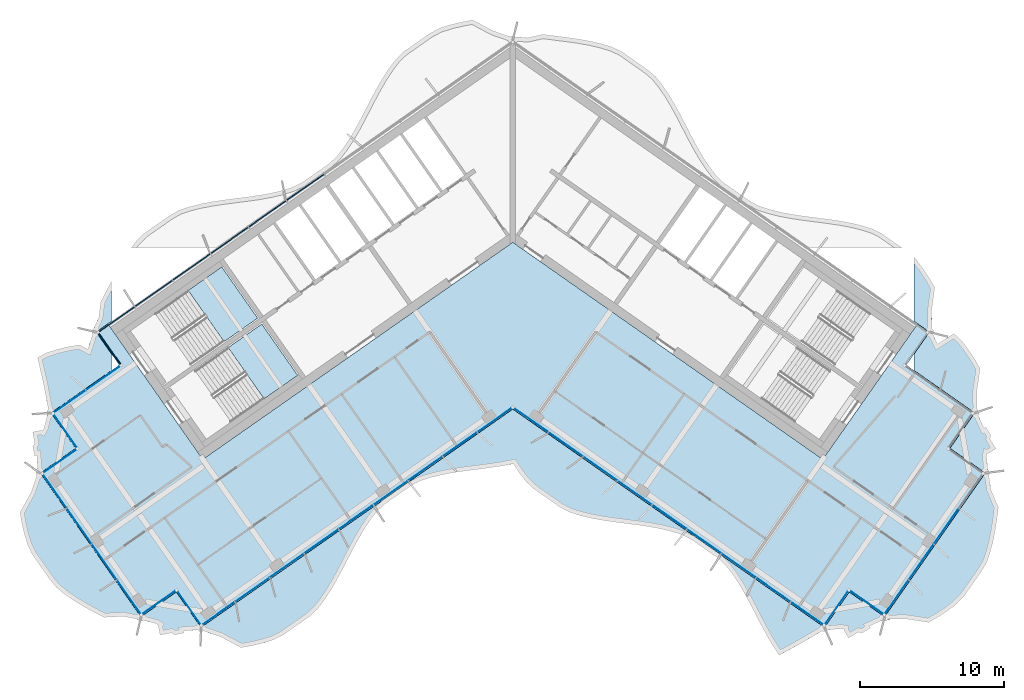
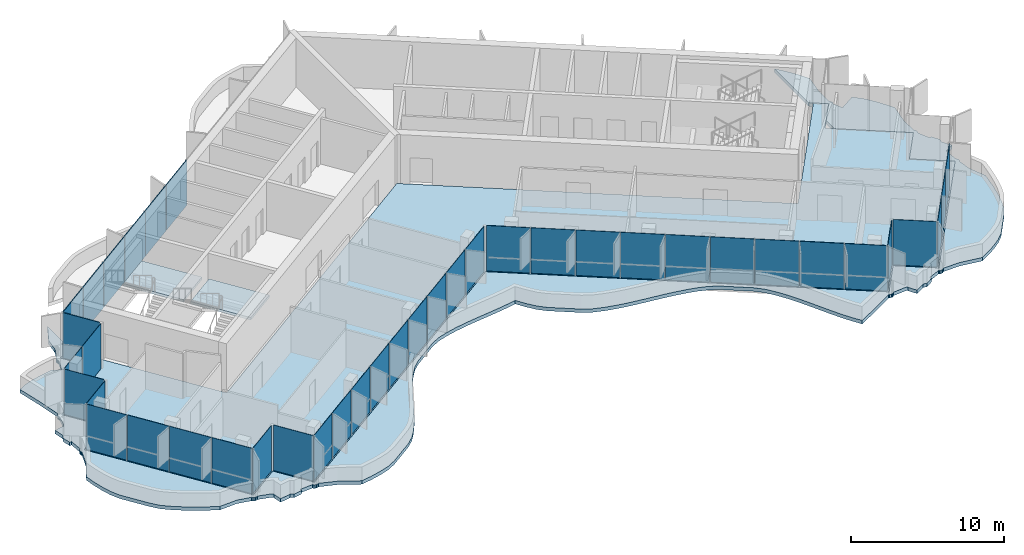
# One storey, part 9 of 20: 40 plates, 4 slabs, 4 elements without a shape of their own.
"""IFC4 building model written with IfcOpenShell, lengths in metres."""

from ifc_helpers import new_model, si_unit, direction, frame, origin, origin_2d, place, context, subcontext, project, spatial, polyline, rectangle, outline, extrude, material, layer, layer_set, type_object, element, aggregate, save


model = new_model("IFC4")

# Units and contexts
model_context = context("Model", 3, precision=1e-05, world=origin(), true_north=direction((0.0, 1.0)))
body_context = subcontext(model_context, "Body", "Model", "MODEL_VIEW")
ifc_project = project(units=[si_unit("LENGTHUNIT", "METRE"), si_unit("AREAUNIT", "SQUARE_METRE"), si_unit("VOLUMEUNIT", "CUBIC_METRE"), si_unit("PLANEANGLEUNIT", "RADIAN"), si_unit("MASSUNIT", "GRAM", prefix="KILO")], contexts=[model_context])

# Site, building, storey
site_placement = place(None, origin())
site = spatial("IfcSite", under=ifc_project, at=site_placement, CompositionType="ELEMENT")
building_placement = place(site_placement, origin())
building = spatial("IfcBuilding", under=site, at=building_placement, Name="Tel Ilan Convention Tower", CompositionType="ELEMENT")
storey_placement = place(building_placement, frame((0.0, 0.0, 229.300048828125)))
storey = spatial("IfcBuildingStorey", under=building, at=storey_placement, Name="L53", CompositionType="ELEMENT", Elevation=229.300048828125)

# Curtain wall, plates
ifc_material_1 = material(Name="Aluminium, bronze anodised", Category="aluminium")
curtain_wall_type_1 = type_object("IfcCurtainWallType", Name="CW2 STICK CURTAIN WALL, SPANDREL PANELS", PredefinedType="NOTDEFINED", material=ifc_material_1)
curtain_wall_1_placement = place(storey_placement, origin())
curtain_wall_1 = element("IfcCurtainWall", 1, at=curtain_wall_1_placement, inside=storey, type_object=curtain_wall_type_1, Name="Curtain wall CW2-42.01", PredefinedType="NOTDEFINED")
ifc_material_2 = material(Name="Aluminium composite panel, bronze anodised", Category="aluminium")
ifc_layer_1 = layer(ifc_material_2, 0.06005859375)
ifc_layer_set_1 = layer_set([ifc_layer_1], Name="CW SPANDREL PANEL 60")
plate_type_1 = type_object("IfcPlateType", Name="CW SPANDREL PANEL 60", PredefinedType="CURTAIN_PANEL", material=ifc_layer_set_1)
plate_1_placement = place(storey_placement, frame((-14.422119140625, 2.59765625, 0.0), z_axis=(0.0, 0.0, 1.0), x_axis=(-0.819152044289, -0.573576436351, 0.0)))
plate_1 = element("IfcPlate", 2, at=plate_1_placement, type_object=plate_type_1, Name="Spandrel panel", PredefinedType="CURTAIN_PANEL", context=body_context, shape_type="SweptSolid", body=[
    extrude(rectangle(XDim=3.15380859375, YDim=0.06005859375, at=origin_2d()), origin(), (0.0, 0.0, 1.0), 3.6201171875),
])
plate_2_placement = place(storey_placement, frame((-17.0546875, 0.754150390625, 0.0), z_axis=(0.0, 0.0, 1.0), x_axis=(-0.819152044289, -0.573576436351, 0.0)))
plate_2 = element("IfcPlate", 3, at=plate_2_placement, type_object=plate_type_1, Name="Spandrel panel", PredefinedType="CURTAIN_PANEL", context=body_context, shape_type="SweptSolid", body=[
    extrude(rectangle(XDim=3.15380859375, YDim=0.06005859375, at=origin_2d()), origin(), (0.0, 0.0, 1.0), 3.6201171875),
])
plate_3_placement = place(storey_placement, frame((-19.687255859375, -1.089111328125, 0.0), z_axis=(0.0, 0.0, 1.0), x_axis=(-0.819152044289, -0.573576436351, 0.0)))
plate_3 = element("IfcPlate", 4, at=plate_3_placement, type_object=plate_type_1, Name="Spandrel panel", PredefinedType="CURTAIN_PANEL", context=body_context, shape_type="SweptSolid", body=[
    extrude(rectangle(XDim=3.15380859375, YDim=0.06005859375, at=origin_2d()), origin(), (0.0, 0.0, 1.0), 3.6201171875),
])
plate_4_placement = place(storey_placement, frame((-22.31982421875, -2.9326171875, 0.0), z_axis=(0.0, 0.0, 1.0), x_axis=(-0.819152044289, -0.573576436351, 0.0)))
plate_4 = element("IfcPlate", 5, at=plate_4_placement, type_object=plate_type_1, Name="Spandrel panel", PredefinedType="CURTAIN_PANEL", context=body_context, shape_type="SweptSolid", body=[
    extrude(rectangle(XDim=3.15380859375, YDim=0.06005859375, at=origin_2d()), origin(), (0.0, 0.0, 1.0), 3.6201171875),
])
plate_5_placement = place(storey_placement, frame((-24.95263671875, -4.77587890625, 0.0), z_axis=(0.0, 0.0, 1.0), x_axis=(-0.819152044289, -0.573576436351, 0.0)))
plate_5 = element("IfcPlate", 6, at=plate_5_placement, type_object=plate_type_1, Name="Spandrel panel", PredefinedType="CURTAIN_PANEL", context=body_context, shape_type="SweptSolid", body=[
    extrude(rectangle(XDim=3.15380859375, YDim=0.06005859375, at=origin_2d()), origin(), (0.0, 0.0, 1.0), 3.6201171875),
])
plate_6_placement = place(storey_placement, frame((-27.5400390625, -6.587646484375, 0.0), z_axis=(0.0, 0.0, 1.0), x_axis=(-0.819152044289, -0.573576436351, 0.0)))
plate_6 = element("IfcPlate", 7, at=plate_6_placement, type_object=plate_type_1, Name="Spandrel panel", PredefinedType="CURTAIN_PANEL", context=body_context, shape_type="SweptSolid", body=[
    extrude(rectangle(XDim=3.0439453125, YDim=0.06005859375, at=origin_2d()), origin(), (0.0, 0.0, 1.0), 3.6201171875),
])
plate_7_placement = place(storey_placement, frame((-28.033935546875, -8.60546875, 0.0), z_axis=(0.0, 0.0, 1.0), x_axis=(0.573576436351, -0.819152044289, 0.0)))
plate_7 = element("IfcPlate", 8, at=plate_7_placement, type_object=plate_type_1, Name="Spandrel panel", PredefinedType="CURTAIN_PANEL", context=body_context, shape_type="SweptSolid", body=[
    extrude(rectangle(XDim=2.658935546875, YDim=0.06005859375, at=origin_2d()), origin(), (0.0, 0.0, 1.0), 3.6201171875),
])
aggregate(curtain_wall_1, [plate_1, plate_2, plate_3, plate_4, plate_5, plate_6, plate_7])

ifc_material_3 = material(Name="Aluminium, bronze anodised", Category="aluminium")
curtain_wall_type_2 = type_object("IfcCurtainWallType", Name="CW5 STICK CURTAIN WALL, UPPER OFFICE LOW-IRON TINTED GLASS", PredefinedType="NOTDEFINED", material=ifc_material_3)
curtain_wall_2_placement = place(storey_placement, origin())
curtain_wall_2 = element("IfcCurtainWall", 9, at=curtain_wall_2_placement, inside=storey, type_object=curtain_wall_type_2, Name="Curtain wall CW5-42.02", PredefinedType="NOTDEFINED")
ifc_material_4 = material(Name="Glass, low-iron bronze tinted, two-ply", Category="glass")
ifc_layer_2 = layer(ifc_material_4, 0.031982421875)
ifc_layer_set_2 = layer_set([ifc_layer_2], Name="CW UPPER GLASS PANEL 32")
plate_type_2 = type_object("IfcPlateType", Name="CW UPPER GLASS PANEL 32", PredefinedType="CURTAIN_PANEL", material=ifc_layer_set_2)
plate_8_placement = place(storey_placement, frame((-28.471435546875, -10.657958984375, 0.0), z_axis=(0.0, 0.0, 1.0), x_axis=(-0.819152044289, -0.573576436351, 0.0)))
plate_8 = element("IfcPlate", 10, at=plate_8_placement, type_object=plate_type_2, Name="Glass panel", PredefinedType="CURTAIN_PANEL", context=body_context, shape_type="SweptSolid", body=[
    extrude(rectangle(XDim=2.868896484375, YDim=0.028076171875, at=origin_2d()), origin(), (0.0, 0.0, 1.0), 3.6201171875),
])
plate_9_placement = place(storey_placement, frame((-30.8203125, -12.302734375, 0.0), z_axis=(0.0, 0.0, 1.0), x_axis=(-0.819152044289, -0.573576436351, 0.0)))
plate_9 = element("IfcPlate", 11, at=plate_9_placement, type_object=plate_type_2, Name="Glass panel", PredefinedType="CURTAIN_PANEL", context=body_context, shape_type="SweptSolid", body=[
    extrude(rectangle(XDim=2.74609375, YDim=0.028076171875, at=origin_2d()), origin(), (0.0, 0.0, 1.0), 3.6201171875),
])
plate_10_placement = place(storey_placement, frame((-31.126220703125, -14.30126953125, 0.0), z_axis=(0.0, 0.0, 1.0), x_axis=(0.573576436351, -0.819152044289, 0.0)))
plate_10 = element("IfcPlate", 12, at=plate_10_placement, type_object=plate_type_2, Name="Glass panel", PredefinedType="CURTAIN_PANEL", context=body_context, shape_type="SweptSolid", body=[
    extrude(rectangle(XDim=2.875, YDim=0.028076171875, at=origin_2d()), origin(), (0.0, 0.0, 1.0), 3.6201171875),
])
plate_11_placement = place(storey_placement, frame((-31.504150390625, -16.44384765625, 0.0), z_axis=(0.0, 0.0, 1.0), x_axis=(-0.819152044289, -0.573576436351, 0.0)))
plate_11 = element("IfcPlate", 13, at=plate_11_placement, type_object=plate_type_2, Name="Glass panel", PredefinedType="CURTAIN_PANEL", context=body_context, shape_type="SweptSolid", body=[
    extrude(rectangle(XDim=2.875, YDim=0.028076171875, at=origin_2d()), origin(), (0.0, 0.0, 1.0), 3.6201171875),
])
plate_12_placement = place(storey_placement, frame((-31.85693359375, -18.488037109375, 0.0), z_axis=(0.0, 0.0, 1.0), x_axis=(0.573576436351, -0.819152044289, 0.0)))
plate_12 = element("IfcPlate", 14, at=plate_12_placement, type_object=plate_type_2, Name="Glass panel", PredefinedType="CURTAIN_PANEL", context=body_context, shape_type="SweptSolid", body=[
    extrude(rectangle(XDim=2.89599609375, YDim=0.028076171875, at=origin_2d()), origin(), (0.0, 0.0, 1.0), 3.6201171875),
])
plate_13_placement = place(storey_placement, frame((-30.134521484375, -20.94775390625, 0.0), z_axis=(0.0, 0.0, 1.0), x_axis=(0.573576436351, -0.819152044289, 0.0)))
plate_13 = element("IfcPlate", 15, at=plate_13_placement, type_object=plate_type_2, Name="Glass panel", PredefinedType="CURTAIN_PANEL", context=body_context, shape_type="SweptSolid", body=[
    extrude(rectangle(XDim=2.989990234375, YDim=0.028076171875, at=origin_2d()), origin(), (0.0, 0.0, 1.0), 3.6201171875),
])
plate_14_placement = place(storey_placement, frame((-28.38525390625, -23.4462890625, 0.0), z_axis=(0.0, 0.0, 1.0), x_axis=(0.573576436351, -0.819152044289, 0.0)))
plate_14 = element("IfcPlate", 16, at=plate_14_placement, type_object=plate_type_2, Name="Glass panel", PredefinedType="CURTAIN_PANEL", context=body_context, shape_type="SweptSolid", body=[
    extrude(rectangle(XDim=2.989990234375, YDim=0.028076171875, at=origin_2d()), origin(), (0.0, 0.0, 1.0), 3.6201171875),
])
plate_15_placement = place(storey_placement, frame((-26.66259765625, -25.90625, 0.0), z_axis=(0.0, 0.0, 1.0), x_axis=(0.573576436351, -0.819152044289, 0.0)))
plate_15 = element("IfcPlate", 17, at=plate_15_placement, type_object=plate_type_2, Name="Glass panel", PredefinedType="CURTAIN_PANEL", context=body_context, shape_type="SweptSolid", body=[
    extrude(rectangle(XDim=2.89599609375, YDim=0.028076171875, at=origin_2d()), origin(), (0.0, 0.0, 1.0), 3.6201171875),
])
plate_16_placement = place(storey_placement, frame((-24.621337890625, -26.273681640625, 0.0), z_axis=(0.0, 0.0, 1.0), x_axis=(0.819152044289, 0.573576436351, 0.0)))
plate_16 = element("IfcPlate", 18, at=plate_16_placement, type_object=plate_type_2, Name="Glass panel", PredefinedType="CURTAIN_PANEL", context=body_context, shape_type="SweptSolid", body=[
    extrude(rectangle(XDim=2.875, YDim=0.028076171875, at=origin_2d()), origin(), (0.0, 0.0, 1.0), 3.6201171875),
])
plate_17_placement = place(storey_placement, frame((-22.478515625, -26.651611328125, 0.0), z_axis=(0.0, 0.0, 1.0), x_axis=(0.573576436351, -0.819152044289, 0.0)))
plate_17 = element("IfcPlate", 19, at=plate_17_placement, type_object=plate_type_2, Name="Glass panel", PredefinedType="CURTAIN_PANEL", context=body_context, shape_type="SweptSolid", body=[
    extrude(rectangle(XDim=2.875, YDim=0.028076171875, at=origin_2d()), origin(), (0.0, 0.0, 1.0), 3.6201171875),
])
plate_18_placement = place(storey_placement, frame((-20.47998046875, -27.036376953125, 0.0), z_axis=(0.0, 0.0, 1.0), x_axis=(0.819152044289, 0.573576436351, 0.0)))
plate_18 = element("IfcPlate", 20, at=plate_18_placement, type_object=plate_type_2, Name="Glass panel", PredefinedType="CURTAIN_PANEL", context=body_context, shape_type="SweptSolid", body=[
    extrude(rectangle(XDim=2.78466796875, YDim=0.028076171875, at=origin_2d()), origin(), (0.0, 0.0, 1.0), 3.6201171875),
])
plate_19_placement = place(storey_placement, frame((-18.111328125, -25.377685546875, 0.0), z_axis=(0.0, 0.0, 1.0), x_axis=(0.819152044289, 0.573576436351, 0.0)))
plate_19 = element("IfcPlate", 21, at=plate_19_placement, type_object=plate_type_2, Name="Glass panel", PredefinedType="CURTAIN_PANEL", context=body_context, shape_type="SweptSolid", body=[
    extrude(rectangle(XDim=2.878662109375, YDim=0.028076171875, at=origin_2d()), origin(), (0.0, 0.0, 1.0), 3.6201171875),
])
plate_20_placement = place(storey_placement, frame((-15.7041015625, -23.692138671875, 0.0), z_axis=(0.0, 0.0, 1.0), x_axis=(0.819152044289, 0.573576436351, 0.0)))
plate_20 = element("IfcPlate", 22, at=plate_20_placement, type_object=plate_type_2, Name="Glass panel", PredefinedType="CURTAIN_PANEL", context=body_context, shape_type="SweptSolid", body=[
    extrude(rectangle(XDim=2.878662109375, YDim=0.028076171875, at=origin_2d()), origin(), (0.0, 0.0, 1.0), 3.6201171875),
])
plate_21_placement = place(storey_placement, frame((-13.296875, -22.006591796875, 0.0), z_axis=(0.0, 0.0, 1.0), x_axis=(0.819152044289, 0.573576436351, 0.0)))
plate_21 = element("IfcPlate", 23, at=plate_21_placement, type_object=plate_type_2, Name="Glass panel", PredefinedType="CURTAIN_PANEL", context=body_context, shape_type="SweptSolid", body=[
    extrude(rectangle(XDim=2.878662109375, YDim=0.028076171875, at=origin_2d()), origin(), (0.0, 0.0, 1.0), 3.6201171875),
])
plate_22_placement = place(storey_placement, frame((-10.8896484375, -20.321044921875, 0.0), z_axis=(0.0, 0.0, 1.0), x_axis=(0.819152044289, 0.573576436351, 0.0)))
plate_22 = element("IfcPlate", 24, at=plate_22_placement, type_object=plate_type_2, Name="Glass panel", PredefinedType="CURTAIN_PANEL", context=body_context, shape_type="SweptSolid", body=[
    extrude(rectangle(XDim=2.878662109375, YDim=0.028076171875, at=origin_2d()), origin(), (0.0, 0.0, 1.0), 3.6201171875),
])
plate_23_placement = place(storey_placement, frame((-8.482666015625, -18.635498046875, 0.0), z_axis=(0.0, 0.0, 1.0), x_axis=(0.819152044289, 0.573576436351, 0.0)))
plate_23 = element("IfcPlate", 25, at=plate_23_placement, type_object=plate_type_2, Name="Glass panel", PredefinedType="CURTAIN_PANEL", context=body_context, shape_type="SweptSolid", body=[
    extrude(rectangle(XDim=2.878662109375, YDim=0.028076171875, at=origin_2d()), origin(), (0.0, 0.0, 1.0), 3.6201171875),
])
plate_24_placement = place(storey_placement, frame((-6.075439453125, -16.949951171875, 0.0), z_axis=(0.0, 0.0, 1.0), x_axis=(0.819152044289, 0.573576436351, 0.0)))
plate_24 = element("IfcPlate", 26, at=plate_24_placement, type_object=plate_type_2, Name="Glass panel", PredefinedType="CURTAIN_PANEL", context=body_context, shape_type="SweptSolid", body=[
    extrude(rectangle(XDim=2.878662109375, YDim=0.028076171875, at=origin_2d()), origin(), (0.0, 0.0, 1.0), 3.6201171875),
])
plate_25_placement = place(storey_placement, frame((-3.668212890625, -15.264404296875, 0.0), z_axis=(0.0, 0.0, 1.0), x_axis=(0.819152044289, 0.573576436351, 0.0)))
plate_25 = element("IfcPlate", 27, at=plate_25_placement, type_object=plate_type_2, Name="Glass panel", PredefinedType="CURTAIN_PANEL", context=body_context, shape_type="SweptSolid", body=[
    extrude(rectangle(XDim=2.878662109375, YDim=0.028076171875, at=origin_2d()), origin(), (0.0, 0.0, 1.0), 3.6201171875),
])
plate_26_placement = place(storey_placement, frame((-1.261474609375, -13.579345703125, 0.0), z_axis=(0.0, 0.0, 1.0), x_axis=(0.819152044289, 0.573576436351, 0.0)))
plate_26 = element("IfcPlate", 28, at=plate_26_placement, type_object=plate_type_2, Name="Glass panel", PredefinedType="CURTAIN_PANEL", context=body_context, shape_type="SweptSolid", body=[
    extrude(rectangle(XDim=2.877685546875, YDim=0.028076171875, at=origin_2d()), origin(), (0.0, 0.0, 1.0), 3.6201171875),
])
plate_27_placement = place(storey_placement, frame((1.27294921875, -13.58740234375, 0.0), z_axis=(0.0, 0.0, 1.0), x_axis=(0.819152044289, -0.573576436351, 0.0)))
plate_27 = element("IfcPlate", 29, at=plate_27_placement, type_object=plate_type_2, Name="Glass panel", PredefinedType="CURTAIN_PANEL", context=body_context, shape_type="SweptSolid", body=[
    extrude(rectangle(XDim=2.849609375, YDim=0.028076171875, at=origin_2d()), origin(), (0.0, 0.0, 1.0), 3.6201171875),
])
plate_28_placement = place(storey_placement, frame((3.668212890625, -15.264404296875, 0.0), z_axis=(0.0, 0.0, 1.0), x_axis=(0.819152044289, -0.573576436351, 0.0)))
plate_28 = element("IfcPlate", 30, at=plate_28_placement, type_object=plate_type_2, Name="Glass panel", PredefinedType="CURTAIN_PANEL", context=body_context, shape_type="SweptSolid", body=[
    extrude(rectangle(XDim=2.878662109375, YDim=0.028076171875, at=origin_2d()), origin(), (0.0, 0.0, 1.0), 3.6201171875),
])
plate_29_placement = place(storey_placement, frame((6.075439453125, -16.949951171875, 0.0), z_axis=(0.0, 0.0, 1.0), x_axis=(0.819152044289, -0.573576436351, 0.0)))
plate_29 = element("IfcPlate", 31, at=plate_29_placement, type_object=plate_type_2, Name="Glass panel", PredefinedType="CURTAIN_PANEL", context=body_context, shape_type="SweptSolid", body=[
    extrude(rectangle(XDim=2.878662109375, YDim=0.028076171875, at=origin_2d()), origin(), (0.0, 0.0, 1.0), 3.6201171875),
])
plate_30_placement = place(storey_placement, frame((8.482666015625, -18.635498046875, 0.0), z_axis=(0.0, 0.0, 1.0), x_axis=(0.819152044289, -0.573576436351, 0.0)))
plate_30 = element("IfcPlate", 32, at=plate_30_placement, type_object=plate_type_2, Name="Glass panel", PredefinedType="CURTAIN_PANEL", context=body_context, shape_type="SweptSolid", body=[
    extrude(rectangle(XDim=2.878662109375, YDim=0.028076171875, at=origin_2d()), origin(), (0.0, 0.0, 1.0), 3.6201171875),
])
plate_31_placement = place(storey_placement, frame((10.8896484375, -20.321044921875, 0.0), z_axis=(0.0, 0.0, 1.0), x_axis=(0.819152044289, -0.573576436351, 0.0)))
plate_31 = element("IfcPlate", 33, at=plate_31_placement, type_object=plate_type_2, Name="Glass panel", PredefinedType="CURTAIN_PANEL", context=body_context, shape_type="SweptSolid", body=[
    extrude(rectangle(XDim=2.878662109375, YDim=0.028076171875, at=origin_2d()), origin(), (0.0, 0.0, 1.0), 3.6201171875),
])
plate_32_placement = place(storey_placement, frame((13.296875, -22.006591796875, 0.0), z_axis=(0.0, 0.0, 1.0), x_axis=(0.819152044289, -0.573576436351, 0.0)))
plate_32 = element("IfcPlate", 34, at=plate_32_placement, type_object=plate_type_2, Name="Glass panel", PredefinedType="CURTAIN_PANEL", context=body_context, shape_type="SweptSolid", body=[
    extrude(rectangle(XDim=2.878662109375, YDim=0.028076171875, at=origin_2d()), origin(), (0.0, 0.0, 1.0), 3.6201171875),
])
plate_33_placement = place(storey_placement, frame((15.7041015625, -23.692138671875, 0.0), z_axis=(0.0, 0.0, 1.0), x_axis=(0.819152044289, -0.573576436351, 0.0)))
plate_33 = element("IfcPlate", 35, at=plate_33_placement, type_object=plate_type_2, Name="Glass panel", PredefinedType="CURTAIN_PANEL", context=body_context, shape_type="SweptSolid", body=[
    extrude(rectangle(XDim=2.878662109375, YDim=0.028076171875, at=origin_2d()), origin(), (0.0, 0.0, 1.0), 3.6201171875),
])
plate_34_placement = place(storey_placement, frame((18.111328125, -25.377685546875, 0.0), z_axis=(0.0, 0.0, 1.0), x_axis=(0.819152044289, -0.573576436351, 0.0)))
plate_34 = element("IfcPlate", 36, at=plate_34_placement, type_object=plate_type_2, Name="Glass panel", PredefinedType="CURTAIN_PANEL", context=body_context, shape_type="SweptSolid", body=[
    extrude(rectangle(XDim=2.878662109375, YDim=0.028076171875, at=origin_2d()), origin(), (0.0, 0.0, 1.0), 3.6201171875),
])
plate_35_placement = place(storey_placement, frame((20.47998046875, -27.036376953125, 0.0), z_axis=(0.0, 0.0, 1.0), x_axis=(0.819152044289, -0.573576436351, 0.0)))
plate_35 = element("IfcPlate", 37, at=plate_35_placement, type_object=plate_type_2, Name="Glass panel", PredefinedType="CURTAIN_PANEL", context=body_context, shape_type="SweptSolid", body=[
    extrude(rectangle(XDim=2.78466796875, YDim=0.028076171875, at=origin_2d()), origin(), (0.0, 0.0, 1.0), 3.6201171875),
])
plate_36_placement = place(storey_placement, frame((22.478515625, -26.651611328125, 0.0), z_axis=(0.0, 0.0, 1.0), x_axis=(0.573576436351, 0.819152044289, 0.0)))
plate_36 = element("IfcPlate", 38, at=plate_36_placement, type_object=plate_type_2, Name="Glass panel", PredefinedType="CURTAIN_PANEL", context=body_context, shape_type="SweptSolid", body=[
    extrude(rectangle(XDim=2.875, YDim=0.028076171875, at=origin_2d()), origin(), (0.0, 0.0, 1.0), 3.6201171875),
])
plate_37_placement = place(storey_placement, frame((24.621337890625, -26.273681640625, 0.0), z_axis=(0.0, 0.0, 1.0), x_axis=(0.819152044289, -0.573576436351, 0.0)))
plate_37 = element("IfcPlate", 39, at=plate_37_placement, type_object=plate_type_2, Name="Glass panel", PredefinedType="CURTAIN_PANEL", context=body_context, shape_type="SweptSolid", body=[
    extrude(rectangle(XDim=2.875, YDim=0.028076171875, at=origin_2d()), origin(), (0.0, 0.0, 1.0), 3.6201171875),
])
plate_38_placement = place(storey_placement, frame((26.66259765625, -25.90625, 0.0), z_axis=(0.0, 0.0, 1.0), x_axis=(0.573576436351, 0.819152044289, 0.0)))
plate_38 = element("IfcPlate", 40, at=plate_38_placement, type_object=plate_type_2, Name="Glass panel", PredefinedType="CURTAIN_PANEL", context=body_context, shape_type="SweptSolid", body=[
    extrude(rectangle(XDim=2.89599609375, YDim=0.028076171875, at=origin_2d()), origin(), (0.0, 0.0, 1.0), 3.6201171875),
])
plate_39_placement = place(storey_placement, frame((28.38525390625, -23.4462890625, 0.0), z_axis=(0.0, 0.0, 1.0), x_axis=(0.573576436351, 0.819152044289, 0.0)))
plate_39 = element("IfcPlate", 41, at=plate_39_placement, type_object=plate_type_2, Name="Glass panel", PredefinedType="CURTAIN_PANEL", context=body_context, shape_type="SweptSolid", body=[
    extrude(rectangle(XDim=2.989990234375, YDim=0.028076171875, at=origin_2d()), origin(), (0.0, 0.0, 1.0), 3.6201171875),
])
plate_40_placement = place(storey_placement, frame((30.134521484375, -20.94775390625, 0.0), z_axis=(0.0, 0.0, 1.0), x_axis=(0.573576436351, 0.819152044289, 0.0)))
plate_40 = element("IfcPlate", 42, at=plate_40_placement, type_object=plate_type_2, Name="Glass panel", PredefinedType="CURTAIN_PANEL", context=body_context, shape_type="SweptSolid", body=[
    extrude(rectangle(XDim=2.989990234375, YDim=0.028076171875, at=origin_2d()), origin(), (0.0, 0.0, 1.0), 3.6201171875),
])
aggregate(curtain_wall_2, [plate_8, plate_9, plate_10, plate_11, plate_12, plate_13, plate_14, plate_15, plate_16, plate_17, plate_18, plate_19, plate_20, plate_21, plate_22, plate_23, plate_24, plate_25, plate_26, plate_27, plate_28, plate_29, plate_30, plate_31, plate_32, plate_33, plate_34, plate_35, plate_36, plate_37, plate_38, plate_39, plate_40])

# Stair, slab
ifc_material_5 = material(Name="Concrete C40/50", Category="concrete")
stair_type = type_object("IfcStairType", Name="Pressurised Exit Stair 22 risers 177 mm", PredefinedType="HALF_TURN_STAIR", material=ifc_material_5)
stair_1_placement = place(storey_placement, origin())
stair_1 = element("IfcStair", 43, at=stair_1_placement, inside=storey, type_object=stair_type, Name="L53 Pressurised Stair S1", PredefinedType="HALF_TURN_STAIR")
ifc_material_6 = material(Name="Concrete C40/50", Category="concrete")
ifc_layer_3 = layer(ifc_material_6, 0.199951171875)
ifc_layer_set_3 = layer_set([ifc_layer_3], Name="Concrete Stair Landing 200 mm C40/50")
slab_type_1 = type_object("IfcSlabType", Name="Concrete Stair Landing 200 mm", PredefinedType="LANDING", material=ifc_layer_set_3)
slab_1_placement = place(storey_placement, frame((0.0, 0.0, 1.75)))
slab_1 = element("IfcSlab", 44, at=slab_1_placement, type_object=slab_type_1, Name="S1 landing 1", PredefinedType="LANDING", context=body_context, shape_type="SweptSolid", body=[
    extrude(outline(polyline([(-20.066650390625, -8.130126953125), (-17.7314453125, -6.494873046875), (-20.226318359375, -2.931640625), (-22.561767578125, -4.566650390625), (-20.066650390625, -8.130126953125)])), origin(), (0.0, 0.0, 1.0), 0.199951171875),
])
aggregate(stair_1, [slab_1])

stair_2_placement = place(storey_placement, origin())
stair_2 = element("IfcStair", 45, at=stair_2_placement, inside=storey, type_object=stair_type, Name="L53 Pressurised Stair S2", PredefinedType="HALF_TURN_STAIR")
slab_2_placement = place(storey_placement, frame((0.0, 0.0, 1.75)))
slab_2 = element("IfcSlab", 46, at=slab_2_placement, type_object=slab_type_1, Name="S2 landing 1", PredefinedType="LANDING", context=body_context, shape_type="SweptSolid", body=[
    extrude(outline(polyline([(-17.28466796875, -12.10302734375), (-14.949462890625, -10.4677734375), (-17.444580078125, -6.904541015625), (-19.77978515625, -8.53955078125), (-17.28466796875, -12.10302734375)])), origin(), (0.0, 0.0, 1.0), 0.199951171875),
])
aggregate(stair_2, [slab_2])

# Slabs
ifc_material_7 = material(Name="Concrete C40/50", Category="concrete")
ifc_layer_4 = layer(ifc_material_7, 0.280029296875)
ifc_layer_set_4 = layer_set([ifc_layer_4], Name="Edge Ledge Slab 280 mm C40/50")
slab_type_2 = type_object("IfcSlabType", Name="Edge Ledge Slab 280 mm C40/50", PredefinedType="FLOOR", material=ifc_layer_set_4)
slab_3_placement = place(storey_placement, frame((0.0, 0.0, -0.280029296875)))
element("IfcSlab", 47, at=slab_3_placement, inside=storey, type_object=slab_type_2, Name="L53 edge ledge 1", PredefinedType="FLOOR", context=body_context, shape_type="SweptSolid", body=[
    extrude(outline(polyline([(-22.855224609375, -28.3798828125), (-23.49462890625, -28.5126953125), (-23.728759765625, -28.3701171875), (-24.51416015625, -28.518310546875), (-24.64697265625, -27.87890625), (-24.61669921875, -27.8291015625), (-24.7724609375, -27.73388671875), (-25.6708984375, -27.4970703125), (-25.67431640625, -27.4921875), (-25.728271484375, -27.5283203125), (-25.843017578125, -27.55126953125), (-25.957763671875, -27.5283203125), (-26.05517578125, -27.46337890625), (-26.083984375, -27.420166015625), (-26.088623046875, -27.42333984375), (-27.05419921875, -27.223388671875), (-28.398193359375, -27.288330078125), (-29.12353515625, -26.920166015625), (-29.82373046875, -26.5341796875), (-30.49462890625, -26.1279296875), (-31.125732421875, -25.69384765625), (-31.707763671875, -25.22509765625), (-32.166748046875, -24.670654296875), (-33.401611328125, -22.906982421875), (-33.7158203125, -22.2509765625), (-33.940185546875, -21.531982421875), (-34.1181640625, -20.780517578125), (-34.248779296875, -19.995849609375), (-33.47021484375, -18.574462890625), (-33.08642578125, -17.4296875), (-33.081787109375, -17.426513671875), (-33.117919921875, -17.372314453125), (-33.140625, -17.257568359375), (-33.117919921875, -17.142822265625), (-33.052734375, -17.04541015625), (-33.009521484375, -17.0166015625), (-33.0126953125, -17.011962890625), (-33.085693359375, -16.03955078125), (-33.232666015625, -16.067138671875), (-33.365478515625, -15.427490234375), (-33.22265625, -15.193603515625), (-33.370849609375, -14.408203125), (-32.7314453125, -14.275390625), (-32.681640625, -14.3056640625), (-32.586669921875, -14.14990234375), (-32.349609375, -13.25146484375), (-32.344970703125, -13.248291015625), (-32.381103515625, -13.194091796875), (-32.40380859375, -13.079345703125), (-32.381103515625, -12.964599609375), (-32.31591796875, -12.8671875), (-32.272705078125, -12.83837890625), (-32.27587890625, -12.833740234375), (-32.6083984375, -11.094970703125), (-33.031982421875, -9.225830078125), (-32.382080078125, -8.890380859375), (-31.6572265625, -8.661376953125), (-30.899169921875, -8.47998046875), (-30.110107421875, -8.3427734375), (-29.537353515625, -8.652587890625), (-29.20458984375, -7.631103515625), (-29.199951171875, -7.6279296875), (-29.236083984375, -7.57373046875), (-29.2587890625, -7.458984375), (-29.236083984375, -7.34423828125), (-29.1708984375, -7.246826171875), (-29.127685546875, -7.218017578125), (-29.130859375, -7.21337890625), (-28.772216796875, -6.441650390625), (-28.635009765625, -5.353515625), (-28.252685546875, -4.614990234375), (-27.875, -3.881103515625), (-27.875, -6.7001953125), (-28.958740234375, -7.458984375), (-27.875, -9.007080078125), (-27.875, -10.1181640625), (-32.10400390625, -13.079345703125), (-30.383056640625, -15.536865234375), (-32.840576171875, -17.257568359375), (-25.843017578125, -27.251220703125), (-23.385498046875, -25.530517578125), (-21.664794921875, -27.988037109375), (0.0, -12.818115234375), (21.664794921875, -27.988037109375), (23.385498046875, -25.530517578125), (25.843017578125, -27.251220703125), (32.840576171875, -17.257568359375), (30.383056640625, -15.536865234375), (32.10400390625, -13.079345703125), (27.875, -10.1181640625), (27.875, -9.007080078125), (28.958740234375, -7.458984375), (27.875, -6.7001953125), (27.875, -2.269287109375), (28.0107421875, -2.392578125), (28.48388671875, -3.001220703125), (28.922119140625, -3.6591796875), (29.331298828125, -4.35888671875), (29.109619140625, -5.95947265625), (29.130859375, -7.21337890625), (29.127685546875, -7.218017578125), (29.1708984375, -7.246826171875), (29.236083984375, -7.34423828125), (29.2587890625, -7.458984375), (29.236083984375, -7.57373046875), (29.199951171875, -7.6279296875), (29.20458984375, -7.631103515625), (29.52001953125, -8.2939453125), (30.656494140625, -7.5625), (31.194091796875, -8.05859375), (31.6572265625, -8.661376953125), (32.0869140625, -9.3115234375), (32.485595703125, -10.006103515625), (32.248779296875, -11.6083984375), (32.27587890625, -12.833740234375), (32.272705078125, -12.83837890625), (32.31591796875, -12.8671875), (32.381103515625, -12.964599609375), (32.40380859375, -13.079345703125), (32.381103515625, -13.194091796875), (32.344970703125, -13.248291015625), (32.349609375, -13.25146484375), (32.7509765625, -14.14013671875), (32.87939453125, -14.06396484375), (33.222900390625, -14.619384765625), (33.1689453125, -14.88818359375), (33.576904296875, -15.57568359375), (33.021240234375, -15.919189453125), (32.964111328125, -15.90771484375), (32.927978515625, -16.086669921875), (33.0126953125, -17.011962890625), (33.009521484375, -17.0166015625), (33.052734375, -17.04541015625), (33.117919921875, -17.142822265625), (33.140625, -17.257568359375), (33.117919921875, -17.372314453125), (33.081787109375, -17.426513671875), (33.08642578125, -17.4296875), (33.228759765625, -18.405517578125), (33.749267578125, -19.64599609375), (33.6513671875, -20.45361328125), (33.5283203125, -21.243408203125), (33.376220703125, -22.012939453125), (33.183837890625, -22.75439453125), (32.9423828125, -23.461669921875), (32.57861328125, -24.082763671875), (31.343505859375, -25.84619140625), (30.83447265625, -26.365966796875), (30.235595703125, -26.82275390625), (29.59033203125, -27.246826171875), (28.897705078125, -27.637939453125), (27.2958984375, -27.392578125), (26.088623046875, -27.42333984375), (26.083984375, -27.420166015625), (26.05517578125, -27.46337890625), (25.957763671875, -27.5283203125), (25.843017578125, -27.55126953125), (25.728271484375, -27.5283203125), (25.67431640625, -27.4921875), (25.6708984375, -27.4970703125), (24.7822265625, -27.898193359375), (24.8583984375, -28.02685546875), (24.302978515625, -28.3701171875), (24.0341796875, -28.31640625), (23.3466796875, -28.72412109375), (23.00341796875, -28.168701171875), (23.0146484375, -28.111328125), (22.835693359375, -28.075439453125), (21.910400390625, -28.16015625), (21.906005859375, -28.15673828125), (21.876953125, -28.2001953125), (21.779541015625, -28.26513671875), (21.664794921875, -28.2880859375), (21.550048828125, -28.26513671875), (21.49609375, -28.22900390625), (21.49267578125, -28.233642578125), (19.969482421875, -29.128173828125), (18.5185546875, -29.919677734375), (18.077880859375, -29.268310546875), (17.6669921875, -28.573974609375), (17.27587890625, -27.851806640625), (16.894775390625, -27.115234375), (16.51416015625, -26.377685546875), (16.12451171875, -25.653564453125), (15.71630859375, -24.955810546875), (15.28125, -24.29638671875), (14.811767578125, -23.685791015625), (14.27099609375, -23.177001953125), (12.4658203125, -21.9130859375), (11.811767578125, -21.56591796875), (11.080810546875, -21.329345703125), (10.314697265625, -21.142333984375), (9.521240234375, -20.99462890625), (8.70849609375, -20.87451171875), (7.885986328125, -20.7685546875), (7.06298828125, -20.6630859375), (6.24951171875, -20.5439453125), (5.45458984375, -20.398193359375), (4.68701171875, -20.213623046875), (3.953857421875, -19.979736328125), (3.2939453125, -19.6416015625), (1.488525390625, -18.377197265625), (0.94189453125, -17.877197265625), (0.470458984375, -17.269775390625), (0.03369140625, -16.61279296875), (0.033203125, -16.6123046875), (-0.023681640625, -16.626708984375), (-0.816650390625, -16.775146484375), (-1.62890625, -16.895751953125), (-2.45166015625, -17.001953125), (-3.274658203125, -17.107421875), (-4.08837890625, -17.225830078125), (-4.8837890625, -17.370849609375), (-5.65234375, -17.55419921875), (-6.386474609375, -17.78662109375), (-7.049560546875, -18.12060546875), (-8.85498046875, -19.384521484375), (-9.404541015625, -19.880615234375), (-9.877197265625, -20.486572265625), (-10.314697265625, -21.142333984375), (-10.724853515625, -21.83740234375), (-11.11572265625, -22.56005859375), (-11.49658203125, -23.296875), (-11.877197265625, -24.0341796875), (-12.267333984375, -24.7578125), (-12.67626953125, -25.454833984375), (-13.1123046875, -26.113037109375), (-13.582763671875, -26.721923828125), (-14.12646484375, -27.226318359375), (-15.931884765625, -28.490478515625), (-16.588623046875, -28.833251953125), (-17.32080078125, -29.068603515625), (-18.08740234375, -29.25439453125), (-18.88330078125, -29.3984375), (-20.311279296875, -28.64013671875), (-21.49267578125, -28.233642578125), (-21.49609375, -28.22900390625), (-21.550048828125, -28.26513671875), (-21.664794921875, -28.2880859375), (-21.779541015625, -28.26513671875), (-21.876953125, -28.2001953125), (-21.906005859375, -28.15673828125), (-21.910400390625, -28.16015625), (-22.8828125, -28.233154296875), (-22.855224609375, -28.3798828125)])), origin(), (0.0, 0.0, 1.0), 0.280029296875),
])
ifc_material_8 = material(Name="Concrete C40/50", Category="concrete")
ifc_layer_5 = layer(ifc_material_8, 0.280029296875)
ifc_layer_set_5 = layer_set([ifc_layer_5], Name="Flat Plate Floor Slab 280 mm C40/50")
slab_type_3 = type_object("IfcSlabType", Name="Flat Plate Floor Slab 280 mm C40/50", PredefinedType="FLOOR", material=ifc_layer_set_5)
slab_4_placement = place(storey_placement, frame((0.0, 0.0, -0.280029296875)))
element("IfcSlab", 48, at=slab_4_placement, inside=storey, type_object=slab_type_3, Name="L53 floor slab", PredefinedType="FLOOR", context=body_context, shape_type="SweptSolid", body=[
    extrude(outline(polyline([(21.54345703125, -16.3056640625), (28.1396484375, -6.885498046875), (28.958740234375, -7.458984375), (27.352783203125, -9.752685546875), (32.10400390625, -13.079345703125), (30.383056640625, -15.536865234375), (32.840576171875, -17.257568359375), (25.843017578125, -27.251220703125), (23.385498046875, -25.530517578125), (21.664794921875, -27.988037109375), (0.0, -12.818115234375), (-21.664794921875, -27.988037109375), (-23.385498046875, -25.530517578125), (-25.843017578125, -27.251220703125), (-32.840576171875, -17.257568359375), (-30.383056640625, -15.536865234375), (-32.10400390625, -13.079345703125), (-27.352783203125, -9.752685546875), (-28.958740234375, -7.458984375), (-28.1396484375, -6.885498046875), (-21.54345703125, -16.3056640625), (0.0, -1.220703125), (21.54345703125, -16.3056640625)])), origin(), (0.0, 0.0, 1.0), 0.280029296875),
])

save(model, "model.ifc")
